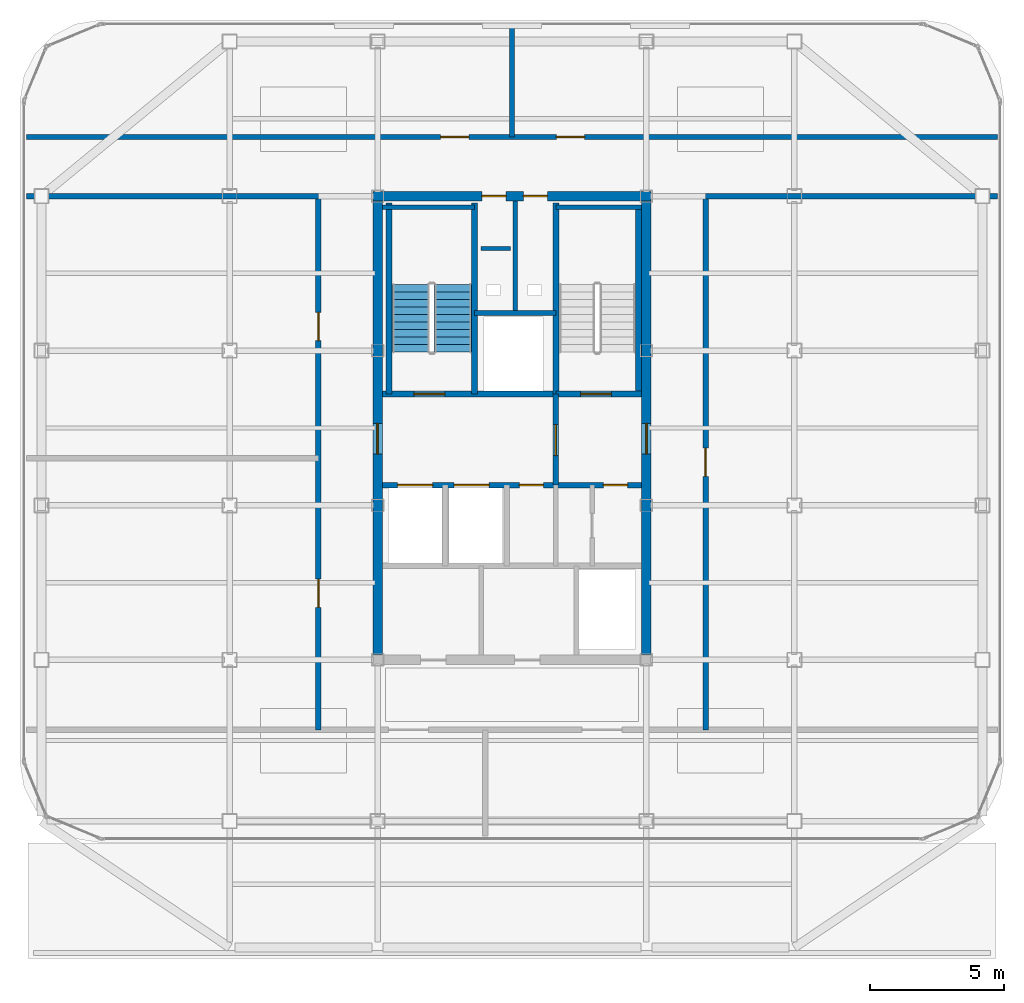
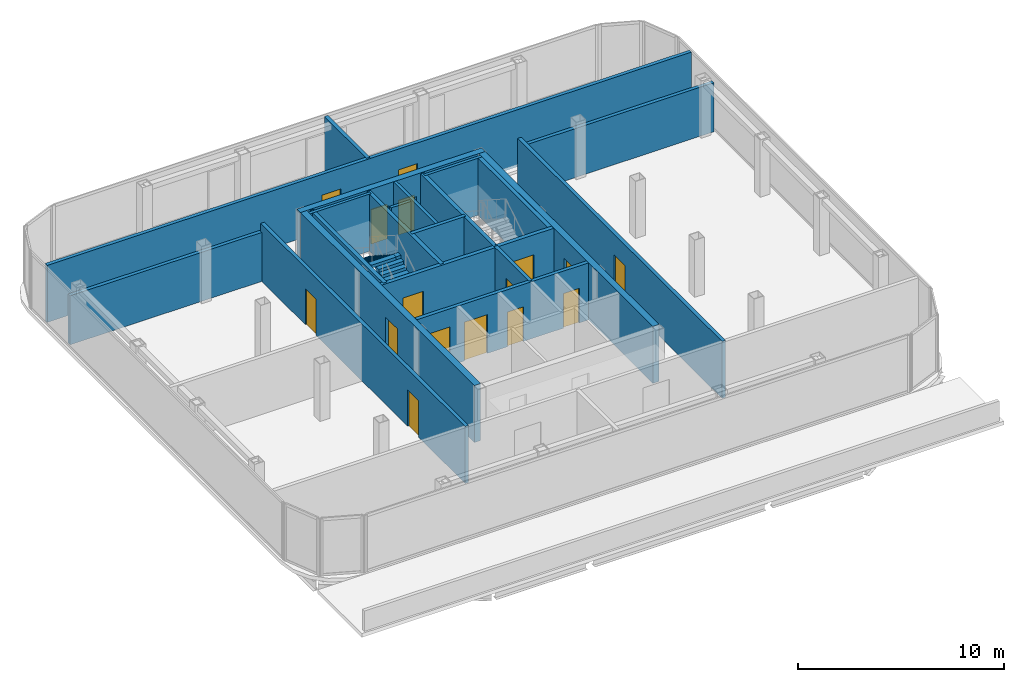
# One storey, part 13 of 15: 22 walls, 16 doors, 2 stair flights, 16 openings, 1 element without a shape of its own.
"""IFC4 building model written with IfcOpenShell, lengths in metres."""

from ifc_helpers import new_model, si_unit, direction, frame, frame_2d, origin, place, context, subcontext, project, spatial, polyline, rectangle, outline, extrude, material, layer, layer_set, type_object, element, fill, aggregate, save


model = new_model("IFC4")

# Units and contexts
model_context = context("Model", 3, precision=1e-05, world=origin(), true_north=direction((0.0, 1.0)))
body_context = subcontext(model_context, "Body", "Model", "MODEL_VIEW")
ifc_project = project(units=[si_unit("LENGTHUNIT", "METRE"), si_unit("AREAUNIT", "SQUARE_METRE"), si_unit("VOLUMEUNIT", "CUBIC_METRE"), si_unit("PLANEANGLEUNIT", "RADIAN"), si_unit("MASSUNIT", "GRAM", prefix="KILO")], contexts=[model_context])

# Site, building, storey
site_placement = place(None, origin())
site = spatial("IfcSite", under=ifc_project, at=site_placement, CompositionType="ELEMENT")
building_placement = place(site_placement, origin())
building = spatial("IfcBuilding", under=site, at=building_placement, Name="Kolveth Station Tower", CompositionType="ELEMENT")
storey_placement = place(building_placement, frame((0.0, 0.0, 271.300048828125)))
storey = spatial("IfcBuildingStorey", under=building, at=storey_placement, Name="L78", CompositionType="ELEMENT", Elevation=271.300048828125)

# Wall, openings, doors
ifc_material_1 = material(Name="Concrete C50/60", Category="concrete")
ifc_layer_1 = layer(ifc_material_1, 0.35009765625)
ifc_layer_set_1 = layer_set([ifc_layer_1], Name="Concrete C50/60")
wall_type_1 = type_object("IfcWallType", Name="Wall_CW-350", PredefinedType="SHEAR", material=ifc_layer_set_1)
wall_1_placement = place(storey_placement, frame((18.324951171875, 28.75, 0.0), z_axis=(0.0, 0.0, 1.0), x_axis=(1.0, 0.0, 0.0)))
wall_1 = element("IfcWall", 1, at=wall_1_placement, inside=storey, type_object=wall_type_1, Name="L78 Core RC Shear Wall N", PredefinedType="SHEAR", context=body_context, shape_type="SweptSolid", body=[
    extrude(rectangle(XDim=10.35009765625, YDim=0.35009765625, at=frame_2d((5.175048828125, 0.0))), origin(), (0.0, 0.0, 1.0), 3.3798828125),
])
opening_1_placement = place(wall_1_placement, frame((4.054931640625, 0.0, 0.0)))
opening_1 = element("IfcOpeningElement", 2, at=opening_1_placement, cuts=wall_1, Name="Opening RD1", PredefinedType="OPENING", context=body_context, shape_type="SweptSolid", body=[
    extrude(rectangle(XDim=0.89990234375, YDim=2.050048828125, at=frame_2d((0.449951171875, 1.02490234375))), frame((0.0, 0.18505859375, 0.0), z_axis=(0.0, -1.0, 0.0), x_axis=(1.0, 0.0, 0.0)), (0.0, 0.0, 1.0), 0.3701171875),
])
opening_2_placement = place(wall_1_placement, frame((5.594970703125, 0.0, 0.0)))
opening_2 = element("IfcOpeningElement", 3, at=opening_2_placement, cuts=wall_1, Name="Opening RD1", PredefinedType="OPENING", context=body_context, shape_type="SweptSolid", body=[
    extrude(rectangle(XDim=0.89990234375, YDim=2.050048828125, at=frame_2d((0.449951171875, 1.02490234375))), frame((0.0, 0.18505859375, 0.0), z_axis=(0.0, -1.0, 0.0), x_axis=(1.0, 0.0, 0.0)), (0.0, 0.0, 1.0), 0.3701171875),
])
ifc_material_2 = material(Name="Fire-rated Steel S355 riser access leaf", Category="steel")
door_type_1 = type_object("IfcDoorType", Name="Door_RD1", OperationType="NOTDEFINED", PredefinedType="DOOR", material=ifc_material_2)
door_1_placement = place(opening_1_placement, origin())
door_1 = element("IfcDoor", 4, at=door_1_placement, inside=storey, type_object=door_type_1, Name="L78 Electrical Riser Access Door", OperationType="SINGLE_SWING_LEFT", OverallHeight=2.050048828125, OverallWidth=0.89990234375, PredefinedType="DOOR", context=body_context, shape_type="SweptSolid", body=[
    extrude(rectangle(XDim=0.89990234375, YDim=2.050048828125, at=frame_2d((0.449951171875, 1.02490234375))), frame((0.0, 0.02490234375, 0.0), z_axis=(0.0, -1.0, 0.0), x_axis=(1.0, 0.0, 0.0)), (0.0, 0.0, 1.0), 0.050048828125),
])
fill(opening_1, door_1)
door_2_placement = place(opening_2_placement, origin())
door_2 = element("IfcDoor", 5, at=door_2_placement, inside=storey, type_object=door_type_1, Name="L78 Smoke Duct Access Door", OperationType="SINGLE_SWING_LEFT", OverallHeight=2.050048828125, OverallWidth=0.89990234375, PredefinedType="DOOR", context=body_context, shape_type="SweptSolid", body=[
    extrude(rectangle(XDim=0.89990234375, YDim=2.050048828125, at=frame_2d((0.449951171875, 1.02490234375))), frame((0.0, 0.02490234375, 0.0), z_axis=(0.0, -1.0, 0.0), x_axis=(1.0, 0.0, 0.0)), (0.0, 0.0, 1.0), 0.050048828125),
])
fill(opening_2, door_2)

# Wall, opening, door
wall_2_placement = place(storey_placement, frame((18.5, 11.675048828125, 0.0), z_axis=(0.0, 0.0, 1.0), x_axis=(0.0, 1.0, 0.0)))
wall_2 = element("IfcWall", 6, at=wall_2_placement, inside=storey, type_object=wall_type_1, Name="L78 Core RC Shear Wall W", PredefinedType="SHEAR", context=body_context, shape_type="SweptSolid", body=[
    extrude(rectangle(XDim=16.89990234375, YDim=0.35009765625, at=frame_2d((8.449951171875, 0.0))), origin(), (0.0, 0.0, 1.0), 3.3798828125),
])
opening_3_placement = place(wall_2_placement, frame((7.47509765625, 0.0, 0.0)))
opening_3 = element("IfcOpeningElement", 7, at=opening_3_placement, cuts=wall_2, Name="Opening FD1", PredefinedType="OPENING", context=body_context, shape_type="SweptSolid", body=[
    extrude(rectangle(XDim=1.14990234375, YDim=2.199951171875, at=frame_2d((0.574951171875, 1.10009765625))), frame((0.0, 0.18505859375, 0.0), z_axis=(0.0, -1.0, 0.0), x_axis=(1.0, 0.0, 0.0)), (0.0, 0.0, 1.0), 0.3701171875),
])
ifc_material_3 = material(Name="Fire-rated Steel S355 leaf and frame", Category="steel")
door_type_2 = type_object("IfcDoorType", Name="Door_FD1", OperationType="NOTDEFINED", PredefinedType="DOOR", material=ifc_material_3)
door_3_placement = place(opening_3_placement, frame((1.14990234375, 0.0, 0.0), z_axis=(0.0, 0.0, 1.0), x_axis=(-1.0, 0.0, 0.0)))
door_3 = element("IfcDoor", 8, at=door_3_placement, inside=storey, type_object=door_type_2, Name="L78 West Corridor to Firefighting Lobby Door", OperationType="SINGLE_SWING_LEFT", OverallHeight=2.199951171875, OverallWidth=1.14990234375, PredefinedType="DOOR", context=body_context, shape_type="SweptSolid", body=[
    extrude(rectangle(XDim=1.14990234375, YDim=2.199951171875, at=frame_2d((0.574951171875, 1.10009765625))), frame((0.0, 0.02490234375, 0.0), z_axis=(0.0, -1.0, 0.0), x_axis=(1.0, 0.0, 0.0)), (0.0, 0.0, 1.0), 0.050048828125),
])
fill(opening_3, door_3)

wall_3_placement = place(storey_placement, frame((28.5, 11.675048828125, 0.0), z_axis=(0.0, 0.0, 1.0), x_axis=(0.0, 1.0, 0.0)))
wall_3 = element("IfcWall", 9, at=wall_3_placement, inside=storey, type_object=wall_type_1, Name="L78 Core RC Shear Wall E", PredefinedType="SHEAR", context=body_context, shape_type="SweptSolid", body=[
    extrude(rectangle(XDim=16.89990234375, YDim=0.35009765625, at=frame_2d((8.449951171875, 0.0))), origin(), (0.0, 0.0, 1.0), 3.3798828125),
])
opening_4_placement = place(wall_3_placement, frame((7.47509765625, 0.0, 0.0)))
opening_4 = element("IfcOpeningElement", 10, at=opening_4_placement, cuts=wall_3, Name="Opening FD1", PredefinedType="OPENING", context=body_context, shape_type="SweptSolid", body=[
    extrude(rectangle(XDim=1.14990234375, YDim=2.199951171875, at=frame_2d((0.574951171875, 1.10009765625))), frame((0.0, 0.18505859375, 0.0), z_axis=(0.0, -1.0, 0.0), x_axis=(1.0, 0.0, 0.0)), (0.0, 0.0, 1.0), 0.3701171875),
])
door_4_placement = place(opening_4_placement, origin())
door_4 = element("IfcDoor", 11, at=door_4_placement, inside=storey, type_object=door_type_2, Name="L78 East Corridor to Stair Lobby Door", OperationType="SINGLE_SWING_RIGHT", OverallHeight=2.199951171875, OverallWidth=1.14990234375, PredefinedType="DOOR", context=body_context, shape_type="SweptSolid", body=[
    extrude(rectangle(XDim=1.14990234375, YDim=2.199951171875, at=frame_2d((0.574951171875, 1.10009765625))), frame((0.0, 0.02490234375, 0.0), z_axis=(0.0, -1.0, 0.0), x_axis=(1.0, 0.0, 0.0)), (0.0, 0.0, 1.0), 0.050048828125),
])
fill(opening_4, door_4)

# Walls
ifc_material_4 = material(Name="Acoustic double-stud gypsum partition")
ifc_layer_2 = layer(ifc_material_4, 0.1650390625)
ifc_layer_set_2 = layer_set([ifc_layer_2], Name="Acoustic double-stud gypsum partition")
wall_type_2 = type_object("IfcWallType", Name="Wall_IW-165", PredefinedType="PARTITIONING", material=ifc_layer_set_2)
wall_4_placement = place(storey_placement, frame((18.68505859375, 28.3349609375, 0.0), z_axis=(0.0, 0.0, 1.0), x_axis=(1.0, 0.0, 0.0)))
element("IfcWall", 12, at=wall_4_placement, inside=storey, type_object=wall_type_2, Name="L78 Stair Shaft Wall WL-L78-ST1-N", PredefinedType="PARTITIONING", context=body_context, shape_type="SweptSolid", body=[
    extrude(rectangle(XDim=3.425048828125, YDim=0.1650390625, at=frame_2d((1.71240234375, 0.0))), origin(), (0.0, 0.0, 1.0), 3.3798828125),
])
wall_5_placement = place(storey_placement, frame((25.1298828125, 28.3349609375, 0.0), z_axis=(0.0, 0.0, 1.0), x_axis=(1.0, 0.0, 0.0)))
element("IfcWall", 13, at=wall_5_placement, inside=storey, type_object=wall_type_2, Name="L78 Stair Shaft Wall WL-L78-ST2-N", PredefinedType="PARTITIONING", context=body_context, shape_type="SweptSolid", body=[
    extrude(rectangle(XDim=3.18505859375, YDim=0.1650390625, at=frame_2d((1.592529296875, 0.0))), origin(), (0.0, 0.0, 1.0), 3.3798828125),
])
wall_6_placement = place(storey_placement, frame((23.6201171875, 24.39990234375, 0.0), z_axis=(0.0, 0.0, 1.0), x_axis=(0.0, 1.0, 0.0)))
element("IfcWall", 14, at=wall_6_placement, inside=storey, type_object=wall_type_2, Name="L78 Partition Wall WL-L78-RSR-M", PredefinedType="PARTITIONING", context=body_context, shape_type="SweptSolid", body=[
    extrude(rectangle(XDim=4.1650390625, YDim=0.1650390625, at=frame_2d((2.08251953125, 0.0))), origin(), (0.0, 0.0, 1.0), 3.3798828125),
])
wall_7_placement = place(storey_placement, frame((22.35009765625, 26.800048828125, 0.0), z_axis=(0.0, 0.0, 1.0), x_axis=(1.0, 0.0, 0.0)))
element("IfcWall", 15, at=wall_7_placement, inside=storey, type_object=wall_type_2, Name="L78 Acoustic Riser Dry-Lining Wall", PredefinedType="PARTITIONING", context=body_context, shape_type="SweptSolid", body=[
    extrude(rectangle(XDim=1.099853515625, YDim=0.1650390625, at=frame_2d((0.5498046875, 0.0))), origin(), (0.0, 0.0, 1.0), 3.3798828125),
])
ifc_material_5 = material(Name="Acoustic fire-rated gypsum blockwork", Category="masonry")
ifc_layer_3 = layer(ifc_material_5, 0.199951171875)
ifc_layer_set_3 = layer_set([ifc_layer_3], Name="Acoustic fire-rated gypsum blockwork")
wall_type_3 = type_object("IfcWallType", Name="Wall_IW-200", PredefinedType="PARTITIONING", material=ifc_layer_set_3)
wall_8_placement = place(storey_placement, frame((22.110107421875, 24.39990234375, 0.0), z_axis=(0.0, 0.0, 1.0), x_axis=(1.0, 0.0, 0.0)))
element("IfcWall", 16, at=wall_8_placement, inside=storey, type_object=wall_type_3, Name="L78 Partition Wall WL-L78-RSR-S", PredefinedType="PARTITIONING", context=body_context, shape_type="SweptSolid", body=[
    extrude(rectangle(XDim=3.019775390625, YDim=0.199951171875, at=frame_2d((1.509765625, 0.0))), origin(), (0.0, 0.0, 1.0), 3.3798828125),
])

# Wall, opening, door
wall_9_placement = place(storey_placement, frame((25.1298828125, 18.0, 0.0), z_axis=(0.0, 0.0, 1.0), x_axis=(0.0, 1.0, 0.0)))
wall_9 = element("IfcWall", 17, at=wall_9_placement, inside=storey, type_object=wall_type_3, Name="L78 Partition Wall WL-L78-FFL-E", PredefinedType="PARTITIONING", context=body_context, shape_type="SweptSolid", body=[
    extrude(rectangle(XDim=3.389892578125, YDim=0.199951171875, at=frame_2d((1.69482421875, 0.0))), origin(), (0.0, 0.0, 1.0), 3.3798828125),
])
opening_5_placement = place(wall_9_placement, frame((1.10009765625, 0.0, 0.0)))
opening_5 = element("IfcOpeningElement", 18, at=opening_5_placement, cuts=wall_9, Name="Opening FD1", PredefinedType="OPENING", context=body_context, shape_type="SweptSolid", body=[
    extrude(rectangle(XDim=1.14990234375, YDim=2.199951171875, at=frame_2d((0.574951171875, 1.10009765625))), frame((0.0, 0.10986328125, 0.0), z_axis=(0.0, -1.0, 0.0), x_axis=(1.0, 0.0, 0.0)), (0.0, 0.0, 1.0), 0.219970703125),
])
door_5_placement = place(opening_5_placement, origin())
door_5 = element("IfcDoor", 19, at=door_5_placement, inside=storey, type_object=door_type_2, Name="L78 Firefighting to Stair Lobby Door", OperationType="SINGLE_SWING_LEFT", OverallHeight=2.199951171875, OverallWidth=1.14990234375, PredefinedType="DOOR", context=body_context, shape_type="SweptSolid", body=[
    extrude(rectangle(XDim=1.14990234375, YDim=2.199951171875, at=frame_2d((0.574951171875, 1.10009765625))), frame((0.0, 0.02490234375, 0.0), z_axis=(0.0, -1.0, 0.0), x_axis=(1.0, 0.0, 0.0)), (0.0, 0.0, 1.0), 0.050048828125),
])
fill(opening_5, door_5)

# Wall, openings, doors
wall_10_placement = place(storey_placement, frame((18.68505859375, 18.0, 0.0), z_axis=(0.0, 0.0, 1.0), x_axis=(1.0, 0.0, 0.0)))
wall_10 = element("IfcWall", 20, at=wall_10_placement, inside=storey, type_object=wall_type_3, Name="L78 Partition Wall WL-L78-FFL-S", PredefinedType="PARTITIONING", context=body_context, shape_type="SweptSolid", body=[
    extrude(rectangle(XDim=9.6298828125, YDim=0.199951171875, at=frame_2d((4.81494140625, 0.0))), origin(), (0.0, 0.0, 1.0), 3.3798828125),
])
opening_6_placement = place(wall_10_placement, frame((0.56494140625, 0.0, 0.0)))
opening_6 = element("IfcOpeningElement", 21, at=opening_6_placement, cuts=wall_10, Name="Opening LD2", PredefinedType="OPENING", context=body_context, shape_type="SweptSolid", body=[
    extrude(rectangle(XDim=1.300048828125, YDim=2.300048828125, at=frame_2d((0.64990234375, 1.14990234375))), frame((0.0, 0.10986328125, 0.0), z_axis=(0.0, -1.0, 0.0), x_axis=(1.0, 0.0, 0.0)), (0.0, 0.0, 1.0), 0.219970703125),
])
opening_7_placement = place(wall_10_placement, frame((2.6650390625, 0.0, 0.0)))
opening_7 = element("IfcOpeningElement", 22, at=opening_7_placement, cuts=wall_10, Name="Opening LD2", PredefinedType="OPENING", context=body_context, shape_type="SweptSolid", body=[
    extrude(rectangle(XDim=1.300048828125, YDim=2.300048828125, at=frame_2d((0.64990234375, 1.14990234375))), frame((0.0, 0.10986328125, 0.0), z_axis=(0.0, -1.0, 0.0), x_axis=(1.0, 0.0, 0.0)), (0.0, 0.0, 1.0), 0.219970703125),
])
opening_8_placement = place(wall_10_placement, frame((5.0849609375, 0.0, 0.0)))
opening_8 = element("IfcOpeningElement", 23, at=opening_8_placement, cuts=wall_10, Name="Opening RD1", PredefinedType="OPENING", context=body_context, shape_type="SweptSolid", body=[
    extrude(rectangle(XDim=0.89990234375, YDim=2.050048828125, at=frame_2d((0.449951171875, 1.02490234375))), frame((0.0, 0.10986328125, 0.0), z_axis=(0.0, -1.0, 0.0), x_axis=(1.0, 0.0, 0.0)), (0.0, 0.0, 1.0), 0.219970703125),
])
opening_9_placement = place(wall_10_placement, frame((8.215087890625, 0.0, 0.0)))
opening_9 = element("IfcOpeningElement", 24, at=opening_9_placement, cuts=wall_10, Name="Opening RD1", PredefinedType="OPENING", context=body_context, shape_type="SweptSolid", body=[
    extrude(rectangle(XDim=0.89990234375, YDim=2.050048828125, at=frame_2d((0.449951171875, 1.02490234375))), frame((0.0, 0.10986328125, 0.0), z_axis=(0.0, -1.0, 0.0), x_axis=(1.0, 0.0, 0.0)), (0.0, 0.0, 1.0), 0.219970703125),
])
ifc_material_6 = material(Name="Firefighting stainless steel sliding landing doors", Category="steel")
door_type_3 = type_object("IfcDoorType", Name="Door_LD2", OperationType="NOTDEFINED", PredefinedType="DOOR", material=ifc_material_6)
door_6_placement = place(opening_6_placement, origin())
door_6 = element("IfcDoor", 25, at=door_6_placement, inside=storey, type_object=door_type_3, Name="L78 Firefighting Lift FF1 Landing Door", OperationType="DOUBLE_DOOR_SLIDING", OverallHeight=2.300048828125, OverallWidth=1.300048828125, PredefinedType="DOOR", context=body_context, shape_type="SweptSolid", body=[
    extrude(rectangle(XDim=1.300048828125, YDim=2.300048828125, at=frame_2d((0.64990234375, 1.14990234375))), frame((0.0, 0.02490234375, 0.0), z_axis=(0.0, -1.0, 0.0), x_axis=(1.0, 0.0, 0.0)), (0.0, 0.0, 1.0), 0.050048828125),
])
fill(opening_6, door_6)
door_7_placement = place(opening_7_placement, origin())
door_7 = element("IfcDoor", 26, at=door_7_placement, inside=storey, type_object=door_type_3, Name="L78 Firefighting Lift FF2 Landing Door", OperationType="DOUBLE_DOOR_SLIDING", OverallHeight=2.300048828125, OverallWidth=1.300048828125, PredefinedType="DOOR", context=body_context, shape_type="SweptSolid", body=[
    extrude(rectangle(XDim=1.300048828125, YDim=2.300048828125, at=frame_2d((0.64990234375, 1.14990234375))), frame((0.0, 0.02490234375, 0.0), z_axis=(0.0, -1.0, 0.0), x_axis=(1.0, 0.0, 0.0)), (0.0, 0.0, 1.0), 0.050048828125),
])
fill(opening_7, door_7)
door_8_placement = place(opening_8_placement, frame((0.89990234375, 0.0, 0.0), z_axis=(0.0, 0.0, 1.0), x_axis=(-1.0, 0.0, 0.0)))
door_8 = element("IfcDoor", 27, at=door_8_placement, inside=storey, type_object=door_type_1, Name="L78 Core Staff WC Door", OperationType="SINGLE_SWING_RIGHT", OverallHeight=2.050048828125, OverallWidth=0.89990234375, PredefinedType="DOOR", context=body_context, shape_type="SweptSolid", body=[
    extrude(rectangle(XDim=0.89990234375, YDim=2.050048828125, at=frame_2d((0.449951171875, 1.02490234375))), frame((0.0, 0.02490234375, 0.0), z_axis=(0.0, -1.0, 0.0), x_axis=(1.0, 0.0, 0.0)), (0.0, 0.0, 1.0), 0.050048828125),
])
fill(opening_8, door_8)
door_9_placement = place(opening_9_placement, frame((0.89990234375, 0.0, 0.0), z_axis=(0.0, 0.0, 1.0), x_axis=(-1.0, 0.0, 0.0)))
door_9 = element("IfcDoor", 28, at=door_9_placement, inside=storey, type_object=door_type_1, Name="L78 Core Janitor Store Door", OperationType="SINGLE_SWING_RIGHT", OverallHeight=2.050048828125, OverallWidth=0.89990234375, PredefinedType="DOOR", context=body_context, shape_type="SweptSolid", body=[
    extrude(rectangle(XDim=0.89990234375, YDim=2.050048828125, at=frame_2d((0.449951171875, 1.02490234375))), frame((0.0, 0.02490234375, 0.0), z_axis=(0.0, -1.0, 0.0), x_axis=(1.0, 0.0, 0.0)), (0.0, 0.0, 1.0), 0.050048828125),
])
fill(opening_9, door_9)

wall_11_placement = place(storey_placement, frame((5.449951171875, 30.949951171875, 0.0), z_axis=(0.0, 0.0, 1.0), x_axis=(1.0, 0.0, 0.0)))
wall_11 = element("IfcWall", 29, at=wall_11_placement, inside=storey, type_object=wall_type_3, Name="L78 Partition Wall WL-L78-PR-N", PredefinedType="PARTITIONING", context=body_context, shape_type="SweptSolid", body=[
    extrude(rectangle(XDim=36.10009765625, YDim=0.199951171875, at=frame_2d((18.050048828125, 0.0))), origin(), (0.0, 0.0, 1.0), 3.3798828125),
])
opening_10_placement = place(wall_11_placement, frame((15.39990234375, 0.0, 0.0)))
opening_10 = element("IfcOpeningElement", 30, at=opening_10_placement, cuts=wall_11, Name="Opening FD2", PredefinedType="OPENING", context=body_context, shape_type="SweptSolid", body=[
    extrude(rectangle(XDim=1.050048828125, YDim=2.14990234375, at=frame_2d((0.52490234375, 1.074951171875))), frame((0.0, 0.10986328125, 0.0), z_axis=(0.0, -1.0, 0.0), x_axis=(1.0, 0.0, 0.0)), (0.0, 0.0, 1.0), 0.219970703125),
])
opening_11_placement = place(wall_11_placement, frame((19.699951171875, 0.0, 0.0)))
opening_11 = element("IfcOpeningElement", 31, at=opening_11_placement, cuts=wall_11, Name="Opening FD2", PredefinedType="OPENING", context=body_context, shape_type="SweptSolid", body=[
    extrude(rectangle(XDim=1.050048828125, YDim=2.14990234375, at=frame_2d((0.52490234375, 1.074951171875))), frame((0.0, 0.10986328125, 0.0), z_axis=(0.0, -1.0, 0.0), x_axis=(1.0, 0.0, 0.0)), (0.0, 0.0, 1.0), 0.219970703125),
])
door_type_4 = type_object("IfcDoorType", Name="Door_FD2", OperationType="NOTDEFINED", PredefinedType="DOOR", material=ifc_material_3)
door_10_placement = place(opening_10_placement, origin())
door_10 = element("IfcDoor", 32, at=door_10_placement, inside=storey, type_object=door_type_4, Name="L78 Water Tank Room Door", OperationType="SINGLE_SWING_LEFT", OverallHeight=2.14990234375, OverallWidth=1.050048828125, PredefinedType="DOOR", context=body_context, shape_type="SweptSolid", body=[
    extrude(rectangle(XDim=1.050048828125, YDim=2.14990234375, at=frame_2d((0.52490234375, 1.074951171875))), frame((0.0, 0.02490234375, 0.0), z_axis=(0.0, -1.0, 0.0), x_axis=(1.0, 0.0, 0.0)), (0.0, 0.0, 1.0), 0.050048828125),
])
fill(opening_10, door_10)
door_11_placement = place(opening_11_placement, origin())
door_11 = element("IfcDoor", 33, at=door_11_placement, inside=storey, type_object=door_type_4, Name="L78 Elevator Machine Plant Room Door", OperationType="SINGLE_SWING_RIGHT", OverallHeight=2.14990234375, OverallWidth=1.050048828125, PredefinedType="DOOR", context=body_context, shape_type="SweptSolid", body=[
    extrude(rectangle(XDim=1.050048828125, YDim=2.14990234375, at=frame_2d((0.52490234375, 1.074951171875))), frame((0.0, 0.02490234375, 0.0), z_axis=(0.0, -1.0, 0.0), x_axis=(1.0, 0.0, 0.0)), (0.0, 0.0, 1.0), 0.050048828125),
])
fill(opening_11, door_11)

wall_12_placement = place(storey_placement, frame((16.300048828125, 8.89990234375, 0.0), z_axis=(0.0, 0.0, 1.0), x_axis=(0.0, 1.0, 0.0)))
wall_12 = element("IfcWall", 34, at=wall_12_placement, inside=storey, type_object=wall_type_3, Name="L78 Partition Wall WL-L78-PR-W", PredefinedType="PARTITIONING", context=body_context, shape_type="SweptSolid", body=[
    extrude(rectangle(XDim=19.85009765625, YDim=0.199951171875, at=frame_2d((9.925048828125, 0.0))), origin(), (0.0, 0.0, 1.0), 3.3798828125),
])
opening_12_placement = place(wall_12_placement, frame((4.550048828125, 0.0, 0.0)))
opening_12 = element("IfcOpeningElement", 35, at=opening_12_placement, cuts=wall_12, Name="Opening FD2", PredefinedType="OPENING", context=body_context, shape_type="SweptSolid", body=[
    extrude(rectangle(XDim=1.050048828125, YDim=2.14990234375, at=frame_2d((0.52490234375, 1.074951171875))), frame((0.0, 0.10986328125, 0.0), z_axis=(0.0, -1.0, 0.0), x_axis=(1.0, 0.0, 0.0)), (0.0, 0.0, 1.0), 0.219970703125),
])
opening_13_placement = place(wall_12_placement, frame((14.47509765625, 0.0, 0.0)))
opening_13 = element("IfcOpeningElement", 36, at=opening_13_placement, cuts=wall_12, Name="Opening FD2", PredefinedType="OPENING", context=body_context, shape_type="SweptSolid", body=[
    extrude(rectangle(XDim=1.050048828125, YDim=2.14990234375, at=frame_2d((0.52490234375, 1.074951171875))), frame((0.0, 0.10986328125, 0.0), z_axis=(0.0, -1.0, 0.0), x_axis=(1.0, 0.0, 0.0)), (0.0, 0.0, 1.0), 0.219970703125),
])
door_12_placement = place(opening_12_placement, frame((1.050048828125, 0.0, 0.0), z_axis=(0.0, 0.0, 1.0), x_axis=(-1.0, 0.0, 0.0)))
door_12 = element("IfcDoor", 37, at=door_12_placement, inside=storey, type_object=door_type_4, Name="L78 Air Handling Plant Room Door", OperationType="SINGLE_SWING_LEFT", OverallHeight=2.14990234375, OverallWidth=1.050048828125, PredefinedType="DOOR", context=body_context, shape_type="SweptSolid", body=[
    extrude(rectangle(XDim=1.050048828125, YDim=2.14990234375, at=frame_2d((0.52490234375, 1.074951171875))), frame((0.0, 0.02490234375, 0.0), z_axis=(0.0, -1.0, 0.0), x_axis=(1.0, 0.0, 0.0)), (0.0, 0.0, 1.0), 0.050048828125),
])
fill(opening_12, door_12)
door_13_placement = place(opening_13_placement, frame((1.050048828125, 0.0, 0.0), z_axis=(0.0, 0.0, 1.0), x_axis=(-1.0, 0.0, 0.0)))
door_13 = element("IfcDoor", 38, at=door_13_placement, inside=storey, type_object=door_type_4, Name="L78 Heat Recovery Plant Room Door", OperationType="SINGLE_SWING_RIGHT", OverallHeight=2.14990234375, OverallWidth=1.050048828125, PredefinedType="DOOR", context=body_context, shape_type="SweptSolid", body=[
    extrude(rectangle(XDim=1.050048828125, YDim=2.14990234375, at=frame_2d((0.52490234375, 1.074951171875))), frame((0.0, 0.02490234375, 0.0), z_axis=(0.0, -1.0, 0.0), x_axis=(1.0, 0.0, 0.0)), (0.0, 0.0, 1.0), 0.050048828125),
])
fill(opening_13, door_13)

# Wall, opening, door
wall_13_placement = place(storey_placement, frame((30.699951171875, 8.89990234375, 0.0), z_axis=(0.0, 0.0, 1.0), x_axis=(0.0, 1.0, 0.0)))
wall_13 = element("IfcWall", 39, at=wall_13_placement, inside=storey, type_object=wall_type_3, Name="L78 Partition Wall WL-L78-PR-E", PredefinedType="PARTITIONING", context=body_context, shape_type="SweptSolid", body=[
    extrude(rectangle(XDim=19.85009765625, YDim=0.199951171875, at=frame_2d((9.925048828125, 0.0))), origin(), (0.0, 0.0, 1.0), 3.3798828125),
])
opening_14_placement = place(wall_13_placement, frame((9.425048828125, 0.0, 0.0)))
opening_14 = element("IfcOpeningElement", 40, at=opening_14_placement, cuts=wall_13, Name="Opening FD2", PredefinedType="OPENING", context=body_context, shape_type="SweptSolid", body=[
    extrude(rectangle(XDim=1.050048828125, YDim=2.14990234375, at=frame_2d((0.52490234375, 1.074951171875))), frame((0.0, 0.10986328125, 0.0), z_axis=(0.0, -1.0, 0.0), x_axis=(1.0, 0.0, 0.0)), (0.0, 0.0, 1.0), 0.219970703125),
])
door_14_placement = place(opening_14_placement, origin())
door_14 = element("IfcDoor", 41, at=door_14_placement, inside=storey, type_object=door_type_4, Name="L78 Medium Voltage Switchgear Room Door", OperationType="SINGLE_SWING_LEFT", OverallHeight=2.14990234375, OverallWidth=1.050048828125, PredefinedType="DOOR", context=body_context, shape_type="SweptSolid", body=[
    extrude(rectangle(XDim=1.050048828125, YDim=2.14990234375, at=frame_2d((0.52490234375, 1.074951171875))), frame((0.0, 0.02490234375, 0.0), z_axis=(0.0, -1.0, 0.0), x_axis=(1.0, 0.0, 0.0)), (0.0, 0.0, 1.0), 0.050048828125),
])
fill(opening_14, door_14)

# Walls
for number, where, z_axis, x_axis, name in (
    (42, (5.449951171875, 28.75, 0.0), (0.0, 0.0, 1.0), (1.0, 0.0, 0.0), "L78 Partition Wall WL-L78-CR-WN"),
    (43, (30.699951171875, 28.75, 0.0), (0.0, 0.0, 1.0), (1.0, 0.0, 0.0), "L78 Partition Wall WL-L78-CR-EN"),
):
    element("IfcWall", number, at=place(storey_placement, frame(where, z_axis=z_axis, x_axis=x_axis)), inside=storey, type_object=wall_type_3, Name=name, PredefinedType="PARTITIONING", context=body_context, shape_type="SweptSolid", body=[
        extrude(rectangle(XDim=10.85009765625, YDim=0.199951171875, at=frame_2d((5.425048828125, 0.0))), origin(), (0.0, 0.0, 1.0), 2.905029296875),
    ])
wall_14_placement = place(storey_placement, frame((23.5, 30.949951171875, 0.0), z_axis=(0.0, 0.0, 1.0), x_axis=(0.0, 1.0, 0.0)))
element("IfcWall", 44, at=wall_14_placement, inside=storey, type_object=wall_type_3, Name="L78 Partition Wall WL-L78-CN-P1", PredefinedType="PARTITIONING", context=body_context, shape_type="SweptSolid", body=[
    extrude(rectangle(XDim=4.10009765625, YDim=0.199951171875, at=frame_2d((2.050048828125, 0.0))), origin(), (0.0, 0.0, 1.0), 3.3798828125),
])
ifc_material_7 = material(Name="Concrete C40/50", Category="concrete")
ifc_layer_4 = layer(ifc_material_7, 0.219970703125)
ifc_layer_set_4 = layer_set([ifc_layer_4], Name="Concrete C40/50")
wall_type_4 = type_object("IfcWallType", Name="Wall_IW-220", PredefinedType="SOLIDWALL", material=ifc_layer_set_4)
for number, where, z_axis, x_axis, name in (
    (45, (18.929931640625, 21.389892578125, 0.0), (0.0, 0.0, 1.0), (0.0, 1.0, 0.0), "L78 Stair Shaft Wall WL-L78-ST1-W"),
    (46, (22.110107421875, 21.389892578125, 0.0), (0.0, 0.0, 1.0), (0.0, 1.0, 0.0), "L78 Stair Shaft Wall WL-L78-ST1-E"),
    (47, (25.1298828125, 21.389892578125, 0.0), (0.0, 0.0, 1.0), (0.0, 1.0, 0.0), "L78 Stair Shaft Wall WL-L78-ST2-W"),
):
    element("IfcWall", number, at=place(storey_placement, frame(where, z_axis=z_axis, x_axis=x_axis)), inside=storey, type_object=wall_type_4, Name=name, PredefinedType="SOLIDWALL", context=body_context, shape_type="SweptSolid", body=[
        extrude(rectangle(XDim=7.110107421875, YDim=0.219970703125, at=frame_2d((3.55517578125, 0.0))), origin(), (0.0, 0.0, 1.0), 3.3798828125),
    ])
wall_15_placement = place(storey_placement, frame((28.2099609375, 21.389892578125, 0.0), z_axis=(0.0, 0.0, 1.0), x_axis=(0.0, 1.0, 0.0)))
element("IfcWall", 48, at=wall_15_placement, inside=storey, type_object=wall_type_4, Name="L78 Stair Shaft Wall WL-L78-ST2-E", PredefinedType="SOLIDWALL", context=body_context, shape_type="SweptSolid", body=[
    extrude(rectangle(XDim=6.945068359375, YDim=0.219970703125, at=frame_2d((3.47265625, 0.0))), origin(), (0.0, 0.0, 1.0), 3.3798828125),
])

# Wall, opening, door
wall_16_placement = place(storey_placement, frame((18.68505859375, 21.389892578125, 0.0), z_axis=(0.0, 0.0, 1.0), x_axis=(1.0, 0.0, 0.0)))
wall_16 = element("IfcWall", 49, at=wall_16_placement, inside=storey, type_object=wall_type_4, Name="L78 Stair Shaft Wall WL-L78-ST1-S", PredefinedType="SOLIDWALL", context=body_context, shape_type="SweptSolid", body=[
    extrude(rectangle(XDim=6.44482421875, YDim=0.219970703125, at=frame_2d((3.222412109375, 0.0))), origin(), (0.0, 0.0, 1.0), 3.3798828125),
])
opening_15_placement = place(wall_16_placement, frame((1.1650390625, 0.0, 0.0)))
opening_15 = element("IfcOpeningElement", 50, at=opening_15_placement, cuts=wall_16, Name="Opening FD1", PredefinedType="OPENING", context=body_context, shape_type="SweptSolid", body=[
    extrude(rectangle(XDim=1.14990234375, YDim=2.199951171875, at=frame_2d((0.574951171875, 1.10009765625))), frame((0.0, 0.119873046875, 0.0), z_axis=(0.0, -1.0, 0.0), x_axis=(1.0, 0.0, 0.0)), (0.0, 0.0, 1.0), 0.239990234375),
])
door_15_placement = place(opening_15_placement, frame((1.14990234375, 0.0, 0.0), z_axis=(0.0, 0.0, 1.0), x_axis=(-1.0, 0.0, 0.0)))
door_15 = element("IfcDoor", 51, at=door_15_placement, inside=storey, type_object=door_type_2, Name="L78 Stair ST1 Fire Door", OperationType="SINGLE_SWING_LEFT", OverallHeight=2.199951171875, OverallWidth=1.14990234375, PredefinedType="DOOR", context=body_context, shape_type="SweptSolid", body=[
    extrude(rectangle(XDim=1.14990234375, YDim=2.199951171875, at=frame_2d((0.574951171875, 1.10009765625))), frame((0.0, 0.02490234375, 0.0), z_axis=(0.0, -1.0, 0.0), x_axis=(1.0, 0.0, 0.0)), (0.0, 0.0, 1.0), 0.050048828125),
])
fill(opening_15, door_15)

wall_17_placement = place(storey_placement, frame((25.1298828125, 21.389892578125, 0.0), z_axis=(0.0, 0.0, 1.0), x_axis=(1.0, 0.0, 0.0)))
wall_17 = element("IfcWall", 52, at=wall_17_placement, inside=storey, type_object=wall_type_4, Name="L78 Stair Shaft Wall WL-L78-ST2-S", PredefinedType="SOLIDWALL", context=body_context, shape_type="SweptSolid", body=[
    extrude(rectangle(XDim=3.18505859375, YDim=0.219970703125, at=frame_2d((1.592529296875, 0.0))), origin(), (0.0, 0.0, 1.0), 3.3798828125),
])
opening_16_placement = place(wall_17_placement, frame((0.919921875, 0.0, 0.0)))
opening_16 = element("IfcOpeningElement", 53, at=opening_16_placement, cuts=wall_17, Name="Opening FD1", PredefinedType="OPENING", context=body_context, shape_type="SweptSolid", body=[
    extrude(rectangle(XDim=1.14990234375, YDim=2.199951171875, at=frame_2d((0.574951171875, 1.10009765625))), frame((0.0, 0.119873046875, 0.0), z_axis=(0.0, -1.0, 0.0), x_axis=(1.0, 0.0, 0.0)), (0.0, 0.0, 1.0), 0.239990234375),
])
door_16_placement = place(opening_16_placement, frame((1.14990234375, 0.0, 0.0), z_axis=(0.0, 0.0, 1.0), x_axis=(-1.0, 0.0, 0.0)))
door_16 = element("IfcDoor", 54, at=door_16_placement, inside=storey, type_object=door_type_2, Name="L78 Stair ST2 Fire Door", OperationType="SINGLE_SWING_RIGHT", OverallHeight=2.199951171875, OverallWidth=1.14990234375, PredefinedType="DOOR", context=body_context, shape_type="SweptSolid", body=[
    extrude(rectangle(XDim=1.14990234375, YDim=2.199951171875, at=frame_2d((0.574951171875, 1.10009765625))), frame((0.0, 0.02490234375, 0.0), z_axis=(0.0, -1.0, 0.0), x_axis=(1.0, 0.0, 0.0)), (0.0, 0.0, 1.0), 0.050048828125),
])
fill(opening_16, door_16)

# Stair, stair flights
stair_type = type_object("IfcStairType", Name="Stair_ST1", PredefinedType="HALF_TURN_STAIR", material=ifc_material_7)
stair_placement = place(storey_placement, origin())
stair = element("IfcStair", 55, at=stair_placement, inside=storey, type_object=stair_type, Name="L78 Tower Exit Stair ST1", PredefinedType="HALF_TURN_STAIR")
ifc_layer_5 = layer(ifc_material_7, 0.179931640625)
ifc_layer_set_5 = layer_set([ifc_layer_5], Name="Concrete C40/50")
stair_flight_type = type_object("IfcStairFlightType", Name="Flight_ST1", PredefinedType="STRAIGHT", material=ifc_layer_set_5)
stair_flight_1_placement = place(storey_placement, frame((21.300048828125, 22.949951171875, 0.0), z_axis=(0.0, 0.0, 1.0), x_axis=(0.0, 1.0, 0.0)))
stair_flight_1 = element("IfcStairFlight", 56, at=stair_flight_1_placement, type_object=stair_flight_type, Name="ST1 flight 1", NumberOfRisers=10, NumberOfTreads=9, PredefinedType="STRAIGHT", RiserHeight=0.18, TreadLength=0.28, context=body_context, shape_type="SweptSolid", body=[
    extrude(outline(polyline([(0.0, 0.0), (0.0, 0.179931640625), (0.280029296875, 0.179931640625), (0.280029296875, 0.360107421875), (0.56005859375, 0.360107421875), (0.56005859375, 0.5400390625), (0.840087890625, 0.5400390625), (0.840087890625, 0.719970703125), (1.1201171875, 0.719970703125), (1.1201171875, 0.89990234375), (1.39990234375, 0.89990234375), (1.39990234375, 1.080078125), (1.679931640625, 1.080078125), (1.679931640625, 1.260009765625), (1.9599609375, 1.260009765625), (1.9599609375, 1.43994140625), (2.239990234375, 1.43994140625), (2.239990234375, 1.6201171875), (2.52001953125, 1.6201171875), (2.52001953125, 1.800048828125), (2.52001953125, 1.44189453125), (0.277099609375, 0.0), (0.0, 0.0)])), frame((0.0, 0.699951171875, 0.0), z_axis=(0.0, -1.0, 0.0), x_axis=(1.0, 0.0, 0.0)), (0.0, 0.0, 1.0), 1.39990234375),
])
stair_flight_2_placement = place(storey_placement, frame((19.739990234375, 25.469970703125, 1.800048828125), z_axis=(0.0, 0.0, 1.0), x_axis=(0.0, -1.0, 0.0)))
stair_flight_2 = element("IfcStairFlight", 57, at=stair_flight_2_placement, type_object=stair_flight_type, Name="ST1 flight 2", NumberOfRisers=10, NumberOfTreads=9, PredefinedType="STRAIGHT", RiserHeight=0.18, TreadLength=0.28, context=body_context, shape_type="SweptSolid", body=[
    extrude(outline(polyline([(0.0, 0.0), (0.0, 0.179931640625), (0.280029296875, 0.179931640625), (0.280029296875, 0.360107421875), (0.56005859375, 0.360107421875), (0.56005859375, 0.5400390625), (0.840087890625, 0.5400390625), (0.840087890625, 0.719970703125), (1.1201171875, 0.719970703125), (1.1201171875, 0.89990234375), (1.39990234375, 0.89990234375), (1.39990234375, 1.080078125), (1.679931640625, 1.080078125), (1.679931640625, 1.260009765625), (1.9599609375, 1.260009765625), (1.9599609375, 1.43994140625), (2.239990234375, 1.43994140625), (2.239990234375, 1.6201171875), (2.52001953125, 1.6201171875), (2.52001953125, 1.800048828125), (2.52001953125, 1.44189453125), (0.277099609375, 0.0), (0.0, 0.0)])), frame((0.0, 0.699951171875, 0.0), z_axis=(0.0, -1.0, 0.0), x_axis=(1.0, 0.0, 0.0)), (0.0, 0.0, 1.0), 1.39990234375),
])
aggregate(stair, [stair_flight_1, stair_flight_2])

save(model, "model.ifc")
